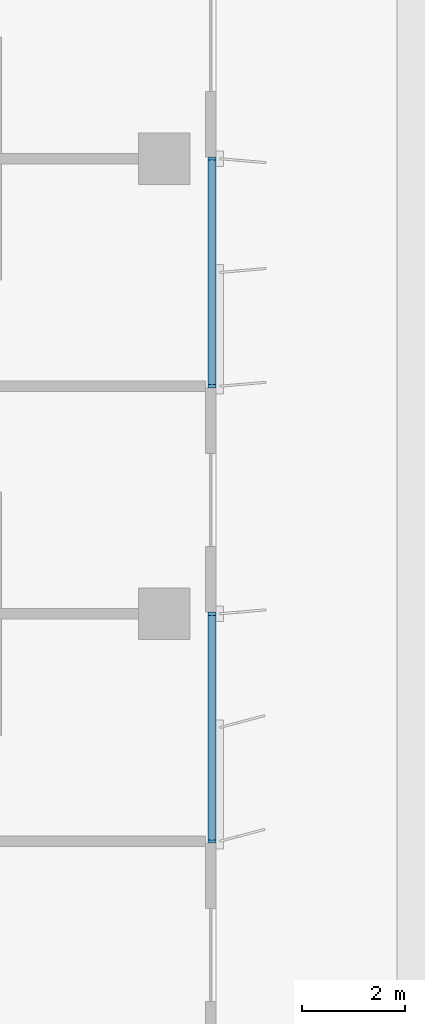
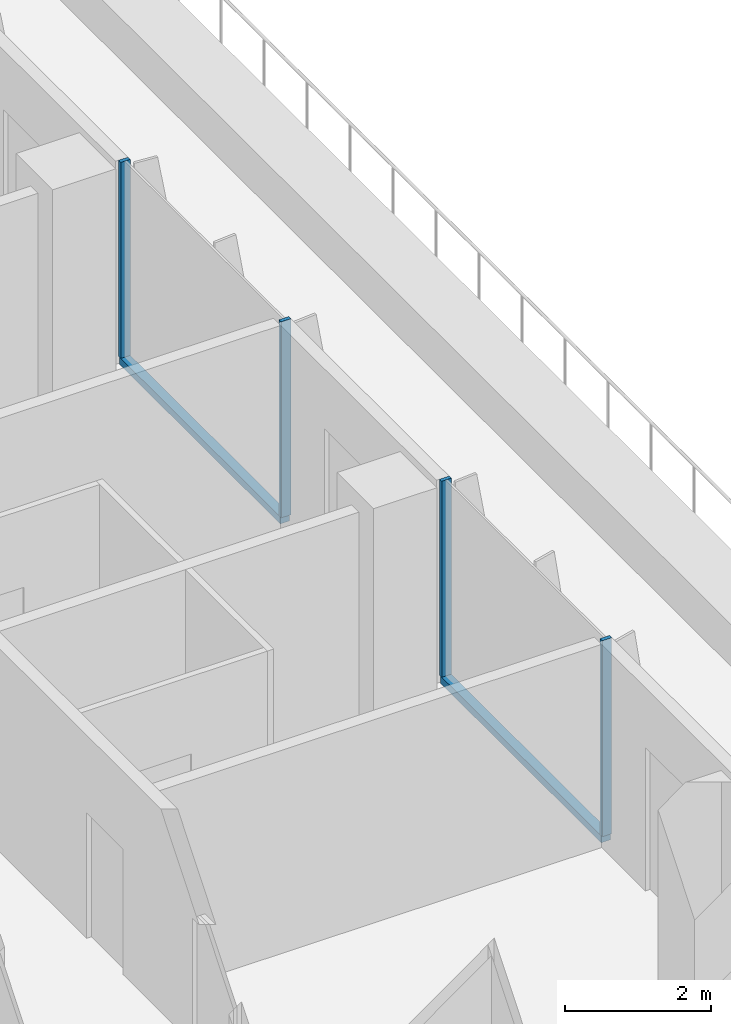
# One storey, part 5 of 22: 6 members, 2 elements without a shape of their own.
"""IFC4 building model written with IfcOpenShell, lengths in metres."""

from ifc_helpers import new_model, si_unit, direction, frame, origin, origin_2d, place, context, subcontext, project, spatial, rectangle, extrude, source, transform, mapped, material, material_profile, profile_set, type_object, element, aggregate, save


model = new_model("IFC4")

# Units and contexts
model_context = context("Model", 3, precision=1e-05, world=origin(), true_north=direction((0.0, 1.0)))
body_context = subcontext(model_context, "Body", "Model", "MODEL_VIEW")
ifc_project = project(units=[si_unit("LENGTHUNIT", "METRE"), si_unit("AREAUNIT", "SQUARE_METRE"), si_unit("VOLUMEUNIT", "CUBIC_METRE"), si_unit("PLANEANGLEUNIT", "RADIAN"), si_unit("MASSUNIT", "GRAM", prefix="KILO")], contexts=[model_context])

# Site, building, storey
site_placement = place(None, origin())
site = spatial("IfcSite", under=ifc_project, at=site_placement, CompositionType="ELEMENT")
building_placement = place(site_placement, origin())
building = spatial("IfcBuilding", under=site, at=building_placement, Name="Kemantara Hotel Tower", CompositionType="ELEMENT")
storey_placement = place(building_placement, frame((0.0, 0.0, 153.10009765625)))
storey = spatial("IfcBuildingStorey", under=building, at=storey_placement, Name="L37", CompositionType="ELEMENT", Elevation=153.10009765625)

# Curtain wall, member
ifc_material_1 = material(Name="Toughened tinted glass 32 mm", Category="glass")
curtain_wall_type = type_object("IfcCurtainWallType", Name="TERRACE GLAZING WALL", PredefinedType="USERDEFINED", material=ifc_material_1)
curtain_wall_1_placement = place(storey_placement, origin())
curtain_wall_1 = element("IfcCurtainWall", 1, at=curtain_wall_1_placement, inside=storey, type_object=curtain_wall_type, Name="CW6 L37 T3-R17-2", ObjectType="TERRACE GLAZING WALL", PredefinedType="USERDEFINED")
ifc_material_2 = material(Name="Aluminium 6063-T6 bronze anodised", Category="aluminium")
ifc_material_profile_1 = material_profile(ifc_material_2, rectangle(XDim=0.14990234375, YDim=0.1201171875, at=origin_2d()), Name="TERRACE GLAZING WALL TRANSOM")
ifc_profile_set_1 = profile_set([ifc_material_profile_1], Name="Aluminium 6063-T6 bronze anodised")
member_type_1 = type_object("IfcMemberType", Name="TERRACE GLAZING WALL TRANSOM", PredefinedType="USERDEFINED", material=ifc_profile_set_1)
member_1_placement = place(storey_placement, frame((21.925048828125, 31.800048828125, 0.059814453125), z_axis=(0.0, 1.0, 0.0), x_axis=(-1.0, 0.0, 0.0)))
member_1 = element("IfcMember", 2, at=member_1_placement, type_object=member_type_1, Name="CW6 sill transom T3-R17-2", ObjectType="TRANSOM", PredefinedType="USERDEFINED", context=body_context, shape_type="SweptSolid", body=[
    extrude(rectangle(XDim=0.14990234375, YDim=0.1201171875, at=origin_2d()), origin(), (0.0, 0.0, 1.0), 4.39990234375),
])

curtain_wall_2_placement = place(storey_placement, origin())
curtain_wall_2 = element("IfcCurtainWall", 3, at=curtain_wall_2_placement, inside=storey, type_object=curtain_wall_type, Name="CW6 L37 T3-R17-3", ObjectType="TERRACE GLAZING WALL", PredefinedType="USERDEFINED")
member_2_placement = place(storey_placement, frame((21.925048828125, 40.60009765625, 0.059814453125), z_axis=(0.0, 1.0, 0.0), x_axis=(-1.0, 0.0, 0.0)))
member_2 = element("IfcMember", 4, at=member_2_placement, type_object=member_type_1, Name="CW6 sill transom T3-R17-3", ObjectType="TRANSOM", PredefinedType="USERDEFINED", context=body_context, shape_type="SweptSolid", body=[
    extrude(rectangle(XDim=0.14990234375, YDim=0.1201171875, at=origin_2d()), origin(), (0.0, 0.0, 1.0), 4.39990234375),
])

# Member
ifc_material_profile_2 = material_profile(ifc_material_2, rectangle(XDim=0.14990234375, YDim=0.06005859375, at=origin_2d()), Name="TERRACE GLAZING WALL MULLION")
ifc_profile_set_2 = profile_set([ifc_material_profile_2], Name="Aluminium 6063-T6 bronze anodised")
member_type_2 = type_object("IfcMemberType", Name="TERRACE GLAZING WALL MULLION", PredefinedType="MULLION", material=ifc_profile_set_2)
shared_shape = source(origin(), body_context, "Body", "SweptSolid", [
    extrude(rectangle(XDim=0.14990234375, YDim=0.06005859375, at=origin_2d()), origin(), (0.0, 0.0, 1.0), 3.280029296875),
])
member_3_placement = place(storey_placement, frame((21.925048828125, 31.800048828125, 0.119873046875), z_axis=(0.0, 0.0, 1.0), x_axis=(-1.0, 0.0, 0.0)))
member_3 = element("IfcMember", 5, at=member_3_placement, type_object=member_type_2, Name="CW6 mullion T3-R17-2.1", PredefinedType="MULLION", context=body_context, shape_type="MappedRepresentation", body=[
    mapped(shared_shape, transform((0.0, 0.0, 0.0))),
])

member_4_placement = place(storey_placement, frame((21.925048828125, 36.199951171875, 0.119873046875), z_axis=(0.0, 0.0, 1.0), x_axis=(-1.0, 0.0, 0.0)))
member_4 = element("IfcMember", 6, at=member_4_placement, type_object=member_type_2, Name="CW6 mullion T3-R17-2.2", PredefinedType="MULLION", context=body_context, shape_type="MappedRepresentation", body=[
    mapped(shared_shape, transform((0.0, 0.0, 0.0))),
])

aggregate(curtain_wall_1, [member_1, member_3, member_4])

member_5_placement = place(storey_placement, frame((21.925048828125, 40.60009765625, 0.119873046875), z_axis=(0.0, 0.0, 1.0), x_axis=(-1.0, 0.0, 0.0)))
member_5 = element("IfcMember", 7, at=member_5_placement, type_object=member_type_2, Name="CW6 mullion T3-R17-3.1", PredefinedType="MULLION", context=body_context, shape_type="MappedRepresentation", body=[
    mapped(shared_shape, transform((0.0, 0.0, 0.0))),
])

member_6_placement = place(storey_placement, frame((21.925048828125, 45.0, 0.119873046875), z_axis=(0.0, 0.0, 1.0), x_axis=(-1.0, 0.0, 0.0)))
member_6 = element("IfcMember", 8, at=member_6_placement, type_object=member_type_2, Name="CW6 mullion T3-R17-3.2", PredefinedType="MULLION", context=body_context, shape_type="MappedRepresentation", body=[
    mapped(shared_shape, transform((0.0, 0.0, 0.0))),
])

aggregate(curtain_wall_2, [member_2, member_5, member_6])

save(model, "model.ifc")
